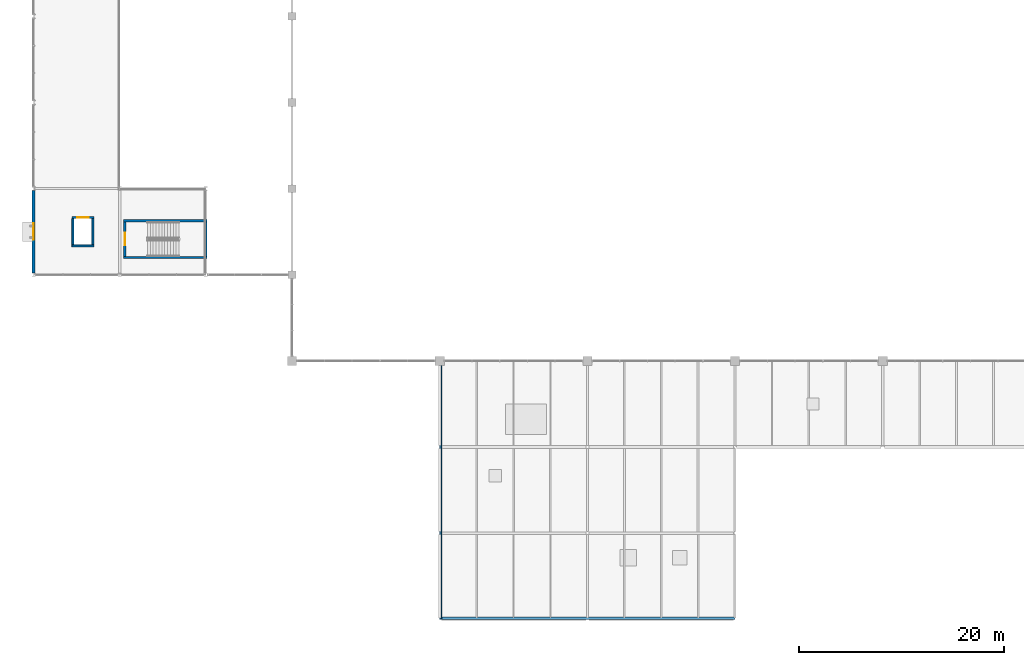
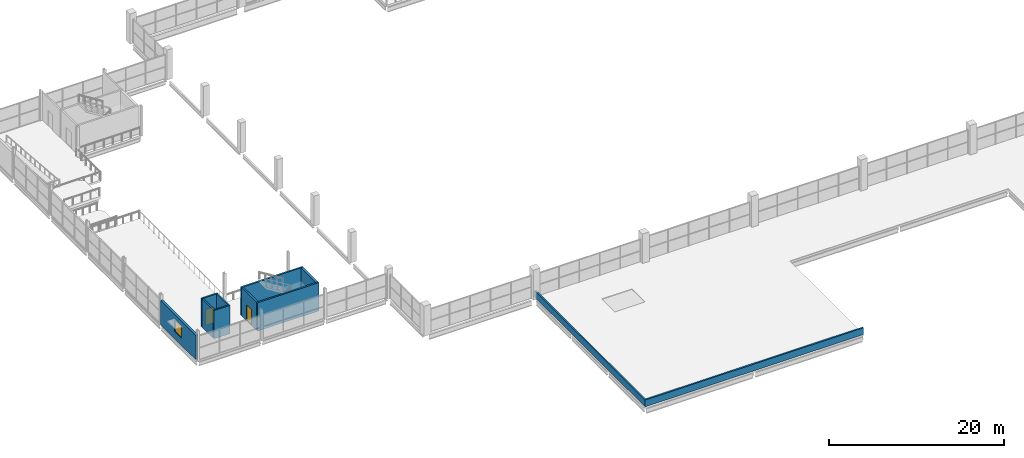
# One storey, part 77 of 93: 11 walls, 2 doors, 1 window, 3 openings.
"""IFC4 building model written with IfcOpenShell, lengths in metres."""

from ifc_helpers import new_model, si_unit, direction, frame, frame_2d, origin, place, context, subcontext, project, spatial, rectangle, extrude, material, layer, layer_set, type_object, element, fill, save


model = new_model("IFC4")

# Units and contexts
model_context = context("Model", 3, precision=1e-05, world=origin(), true_north=direction((0.0, 1.0)))
body_context = subcontext(model_context, "Body", "Model", "MODEL_VIEW")
ifc_project = project(units=[si_unit("LENGTHUNIT", "METRE"), si_unit("AREAUNIT", "SQUARE_METRE"), si_unit("VOLUMEUNIT", "CUBIC_METRE"), si_unit("PLANEANGLEUNIT", "RADIAN"), si_unit("MASSUNIT", "GRAM", prefix="KILO"), si_unit("THERMODYNAMICTEMPERATUREUNIT", "KELVIN")], contexts=[model_context])

# Site, building, storey
site_placement = place(None, origin())
site = spatial("IfcSite", under=ifc_project, at=site_placement, CompositionType="ELEMENT")
building_placement = place(site_placement, origin())
building = spatial("IfcBuilding", under=site, at=building_placement, Name="Nduvali Passage Aquatics Centre", CompositionType="ELEMENT")
storey_placement = place(building_placement, frame((0.0, 0.0, 9.0)))
storey = spatial("IfcBuildingStorey", under=building, at=storey_placement, Name="L02", CompositionType="ELEMENT", Elevation=9.0)

# Wall, opening, window
ifc_material_1 = material(Name="Coral-stone masonry blockwork", Category="masonry")
ifc_layer_1 = layer(ifc_material_1, 0.280029296875, Name="Coral-stone masonry blockwork")
ifc_layer_set_1 = layer_set([ifc_layer_1], Name="Coral-stone masonry blockwork")
wall_type_1 = type_object("IfcWallType", Name="ENV-WAL-CORAL280", PredefinedType="STANDARD", material=ifc_layer_set_1)
wall_1_placement = place(storey_placement, frame((0.0, 41.830078125, 0.0), z_axis=(0.0, 0.0, 1.0), x_axis=(0.0, -1.0, 0.0)))
wall_1 = element("IfcWall", 1, at=wall_1_placement, inside=storey, type_object=wall_type_1, Name="L02 Diving West Facade 0031", PredefinedType="STANDARD", context=body_context, shape_type="SweptSolid", body=[
    extrude(rectangle(XDim=8.06005859375, YDim=0.280029296875, at=frame_2d((4.030029296875, 0.0))), origin(), (0.0, 0.0, 1.0), 3.406494140625),
])
opening_1_placement = place(wall_1_placement, frame((3.22998046875, 0.0, 1.0)))
opening_1 = element("IfcOpeningElement", 2, at=opening_1_placement, cuts=wall_1, Name="Opening W11", PredefinedType="OPENING", context=body_context, shape_type="SweptSolid", body=[
    extrude(rectangle(XDim=1.60009765625, YDim=1.60009765625, at=frame_2d((0.800048828125, 0.800048828125))), frame((0.0, 0.15478515625, 0.0), z_axis=(0.0, -1.0, 0.0), x_axis=(1.0, 0.0, 0.0)), (0.0, 0.0, 1.0), 0.309814453125),
])
ifc_material_2 = material(Name="Aluminium-framed solar-control low-E IGU", Category="aluminium")
window_type = type_object("IfcWindowType", Name="ENV-WIN-W11", PartitioningType="SINGLE_PANEL", PredefinedType="WINDOW", material=ifc_material_2)
window_placement = place(opening_1_placement, origin())
window = element("IfcWindow", 3, at=window_placement, inside=storey, type_object=window_type, Name="L02 Exterior Window W11-0038", OverallHeight=1.60009765625, OverallWidth=1.60009765625, PartitioningType="SINGLE_PANEL", PredefinedType="WINDOW", context=body_context, shape_type="SweptSolid", body=[
    extrude(rectangle(XDim=1.60009765625, YDim=1.60009765625, at=frame_2d((0.800048828125, 0.800048828125))), frame((0.0, 0.030029296875, 0.0), z_axis=(0.0, -1.0, 0.0), x_axis=(1.0, 0.0, 0.0)), (0.0, 0.0, 1.0), 0.06005859375),
])
fill(opening_1, window)

# Walls
ifc_layer_2 = layer(ifc_material_1, 0.179931640625, Name="Coral-stone masonry blockwork")
ifc_layer_set_2 = layer_set([ifc_layer_2], Name="Coral-stone masonry blockwork")
wall_type_2 = type_object("IfcWallType", Name="ENV-WAL-PAR180", PredefinedType="PARAPET", material=ifc_layer_set_2)
wall_2_placement = place(storey_placement, frame((39.68994140625, 0.0, 0.0), z_axis=(0.0, 0.0, 1.0), x_axis=(0.0, 1.0, 0.0)))
element("IfcWall", 4, at=wall_2_placement, inside=storey, type_object=wall_type_2, Name="V4 Roof West Parapet", PredefinedType="PARAPET", context=body_context, shape_type="SweptSolid", body=[
    extrude(rectangle(XDim=25.199951171875, YDim=0.179931640625, at=frame_2d((12.60009765625, 0.0))), origin(), (0.0, 0.0, 1.0), 0.949951171875),
])
ifc_layer_3 = layer(ifc_material_1, 0.2099609375, Name="Coral-stone masonry blockwork")
ifc_layer_set_3 = layer_set([ifc_layer_3], Name="Coral-stone masonry blockwork")
wall_type_3 = type_object("IfcWallType", Name="ENV-WAL-PAR200", PredefinedType="PARAPET", material=ifc_layer_set_3)
wall_3_placement = place(storey_placement, frame((39.60009765625, 0.10009765625, 0.0), z_axis=(0.0, 0.0, 1.0), x_axis=(1.0, 0.0, 0.0)))
element("IfcWall", 5, at=wall_3_placement, inside=storey, type_object=wall_type_3, Name="V4 Roof South-West Parapet", PredefinedType="PARAPET", context=body_context, shape_type="SweptSolid", body=[
    extrude(rectangle(XDim=28.7998046875, YDim=0.2099609375, at=frame_2d((14.39990234375, 0.0))), origin(), (0.0, 0.0, 1.0), 0.949951171875),
])
ifc_material_3 = material(Name="Concrete C40/50", Category="concrete")
ifc_layer_4 = layer(ifc_material_3, 0.219970703125, Name="Concrete C40/50")
ifc_layer_set_4 = layer_set([ifc_layer_4], Name="Concrete C40/50")
wall_type_4 = type_object("IfcWallType", Name="INT-WAL-CORE220", PredefinedType="SOLIDWALL", material=ifc_layer_set_4)
for number, where, z_axis, x_axis, name in (
    (6, (8.780029296875, 35.2900390625, 0.0), (0.0, 0.0, 1.0), (1.0, 0.0, 0.0), "L02 Stair ST9 Core Wall S"),
    (7, (16.89990234375, 38.860107421875, 0.0), (0.0, 0.0, 1.0), (-1.0, 0.0, 0.0), "L02 Stair ST9 Core Wall N"),
):
    element("IfcWall", number, at=place(storey_placement, frame(where, z_axis=z_axis, x_axis=x_axis)), inside=storey, type_object=wall_type_4, Name=name, PredefinedType="SOLIDWALL", context=body_context, shape_type="SweptSolid", body=[
        extrude(rectangle(XDim=8.119873046875, YDim=0.219970703125, at=frame_2d((4.06005859375, 0.0))), origin(), (0.0, 0.0, 1.0), 3.949951171875),
    ])

# Wall, opening, door
wall_4_placement = place(storey_placement, frame((8.889892578125, 38.75, 0.0), z_axis=(0.0, 0.0, 1.0), x_axis=(0.0, -1.0, 0.0)))
wall_4 = element("IfcWall", 8, at=wall_4_placement, inside=storey, type_object=wall_type_4, Name="L02 Stair ST9 Core Wall W", PredefinedType="SOLIDWALL", context=body_context, shape_type="SweptSolid", body=[
    extrude(rectangle(XDim=3.35009765625, YDim=0.219970703125, at=frame_2d((1.675048828125, 0.0))), origin(), (0.0, 0.0, 1.0), 3.949951171875),
])
opening_2_placement = place(wall_4_placement, frame((1.074951171875, 0.0, 0.0)))
opening_2 = element("IfcOpeningElement", 9, at=opening_2_placement, cuts=wall_4, Name="Opening FD-ST2", PredefinedType="OPENING", context=body_context, shape_type="SweptSolid", body=[
    extrude(rectangle(XDim=1.199951171875, YDim=2.199951171875, at=frame_2d((0.60009765625, 1.10009765625))), frame((0.0, 0.125, 0.0), z_axis=(0.0, -1.0, 0.0), x_axis=(1.0, 0.0, 0.0)), (0.0, 0.0, 1.0), 0.249755859375),
])
ifc_material_4 = material(Name="Galvanised steel door", Category="steel")
door_type_1 = type_object("IfcDoorType", Name="INT-DR-ST120", OperationType="NOTDEFINED", PredefinedType="DOOR", material=ifc_material_4)
door_1_placement = place(opening_2_placement, frame((1.199951171875, 0.0, 0.0), z_axis=(0.0, 0.0, 1.0), x_axis=(-1.0, 0.0, 0.0)))
door_1 = element("IfcDoor", 10, at=door_1_placement, inside=storey, type_object=door_type_1, Name="L02 Stair ST9 Fire Lobby Door", OperationType="SINGLE_SWING_RIGHT", OverallHeight=2.199951171875, OverallWidth=1.199951171875, PredefinedType="DOOR", context=body_context, shape_type="SweptSolid", body=[
    extrude(rectangle(XDim=1.199951171875, YDim=2.199951171875, at=frame_2d((0.60009765625, 1.10009765625))), frame((0.0, 0.02490234375, 0.0), z_axis=(0.0, -1.0, 0.0), x_axis=(1.0, 0.0, 0.0)), (0.0, 0.0, 1.0), 0.050048828125),
])
fill(opening_2, door_1)

# Walls
ifc_layer_5 = layer(ifc_material_3, 0.18994140625, Name="Concrete C40/50")
ifc_layer_set_5 = layer_set([ifc_layer_5], Name="Concrete C40/50")
wall_type_5 = type_object("IfcWallType", Name="INT-WAL-SHAFT200", PredefinedType="SOLIDWALL", material=ifc_layer_set_5)
wall_5_placement = place(storey_placement, frame((3.72998046875, 36.425048828125, 0.0), z_axis=(0.0, 0.0, 1.0), x_axis=(1.0, 0.0, 0.0)))
element("IfcWall", 11, at=wall_5_placement, inside=storey, type_object=wall_type_5, Name="L02 Lift L5 Shaft Wall S", PredefinedType="SOLIDWALL", context=body_context, shape_type="SweptSolid", body=[
    extrude(rectangle(XDim=2.14013671875, YDim=0.18994140625, at=frame_2d((1.070068359375, 0.0))), origin(), (0.0, 0.0, 1.0), 3.949951171875),
])
wall_6_placement = place(storey_placement, frame((5.77490234375, 36.52001953125, 0.0), z_axis=(0.0, 0.0, 1.0), x_axis=(0.0, 1.0, 0.0)))
element("IfcWall", 12, at=wall_6_placement, inside=storey, type_object=wall_type_5, Name="L02 Lift L5 Shaft Wall E", PredefinedType="SOLIDWALL", context=body_context, shape_type="SweptSolid", body=[
    extrude(rectangle(XDim=2.56005859375, YDim=0.18994140625, at=frame_2d((1.280029296875, 0.0))), origin(), (0.0, 0.0, 1.0), 3.949951171875),
])

# Wall, opening, door
wall_7_placement = place(storey_placement, frame((5.8701171875, 39.175048828125, 0.0), z_axis=(0.0, 0.0, 1.0), x_axis=(-1.0, 0.0, 0.0)))
wall_7 = element("IfcWall", 13, at=wall_7_placement, inside=storey, type_object=wall_type_5, Name="L02 Lift L5 Shaft Wall N", PredefinedType="SOLIDWALL", context=body_context, shape_type="SweptSolid", body=[
    extrude(rectangle(XDim=2.14013671875, YDim=0.18994140625, at=frame_2d((1.070068359375, 0.0))), origin(), (0.0, 0.0, 1.0), 3.949951171875),
])
opening_3_placement = place(wall_7_placement, frame((0.52001953125, 0.0, 0.0)))
opening_3 = element("IfcOpeningElement", 14, at=opening_3_placement, cuts=wall_7, Name="Opening LD5", PredefinedType="OPENING", context=body_context, shape_type="SweptSolid", body=[
    extrude(rectangle(XDim=1.10009765625, YDim=2.199951171875, at=frame_2d((0.550048828125, 1.10009765625))), frame((0.0, 0.10986328125, 0.0), z_axis=(0.0, -1.0, 0.0), x_axis=(1.0, 0.0, 0.0)), (0.0, 0.0, 1.0), 0.2197265625),
])
ifc_material_5 = material(Name="Stainless steel landing door", Category="steel")
door_type_2 = type_object("IfcDoorType", Name="INT-DR-LD5", OperationType="DOUBLE_DOOR_SLIDING", PredefinedType="DOOR", material=ifc_material_5)
door_2_placement = place(opening_3_placement, origin())
door_2 = element("IfcDoor", 15, at=door_2_placement, inside=storey, type_object=door_type_2, Name="L02 Lift L5 Sliding Landing Door LD5", OperationType="DOUBLE_DOOR_SLIDING", OverallHeight=2.199951171875, OverallWidth=1.10009765625, PredefinedType="DOOR", context=body_context, shape_type="SweptSolid", body=[
    extrude(rectangle(XDim=1.10009765625, YDim=2.199951171875, at=frame_2d((0.550048828125, 1.10009765625))), frame((0.0, 0.02490234375, 0.0), z_axis=(0.0, -1.0, 0.0), x_axis=(1.0, 0.0, 0.0)), (0.0, 0.0, 1.0), 0.050048828125),
])
fill(opening_3, door_2)

# Walls
wall_8_placement = place(storey_placement, frame((3.824951171875, 39.080078125, 0.0), z_axis=(0.0, 0.0, 1.0), x_axis=(0.0, -1.0, 0.0)))
element("IfcWall", 16, at=wall_8_placement, inside=storey, type_object=wall_type_5, Name="L02 Lift L5 Shaft Wall W", PredefinedType="SOLIDWALL", context=body_context, shape_type="SweptSolid", body=[
    extrude(rectangle(XDim=2.56005859375, YDim=0.18994140625, at=frame_2d((1.280029296875, 0.0))), origin(), (0.0, 0.0, 1.0), 3.949951171875),
])
ifc_layer_6 = layer(ifc_material_3, 0.300048828125, Name="Concrete C40/50")
ifc_layer_set_6 = layer_set([ifc_layer_6], Name="Concrete C40/50")
wall_type_6 = type_object("IfcWallType", Name="STR-WAL-SHR300", PredefinedType="SHEAR", material=ifc_layer_set_6)
wall_9_placement = place(storey_placement, frame((16.75, 35.39990234375, 0.0), z_axis=(0.0, 0.0, 1.0), x_axis=(0.0, 1.0, 0.0)))
element("IfcWall", 17, at=wall_9_placement, inside=storey, type_object=wall_type_6, Name="L02 Stair ST9 Core Shear Wall E", PredefinedType="SHEAR", context=body_context, shape_type="SweptSolid", body=[
    extrude(rectangle(XDim=3.35009765625, YDim=0.300048828125, at=frame_2d((1.675048828125, 0.0))), origin(), (0.0, 0.0, 1.0), 3.949951171875),
])

save(model, "model.ifc")
